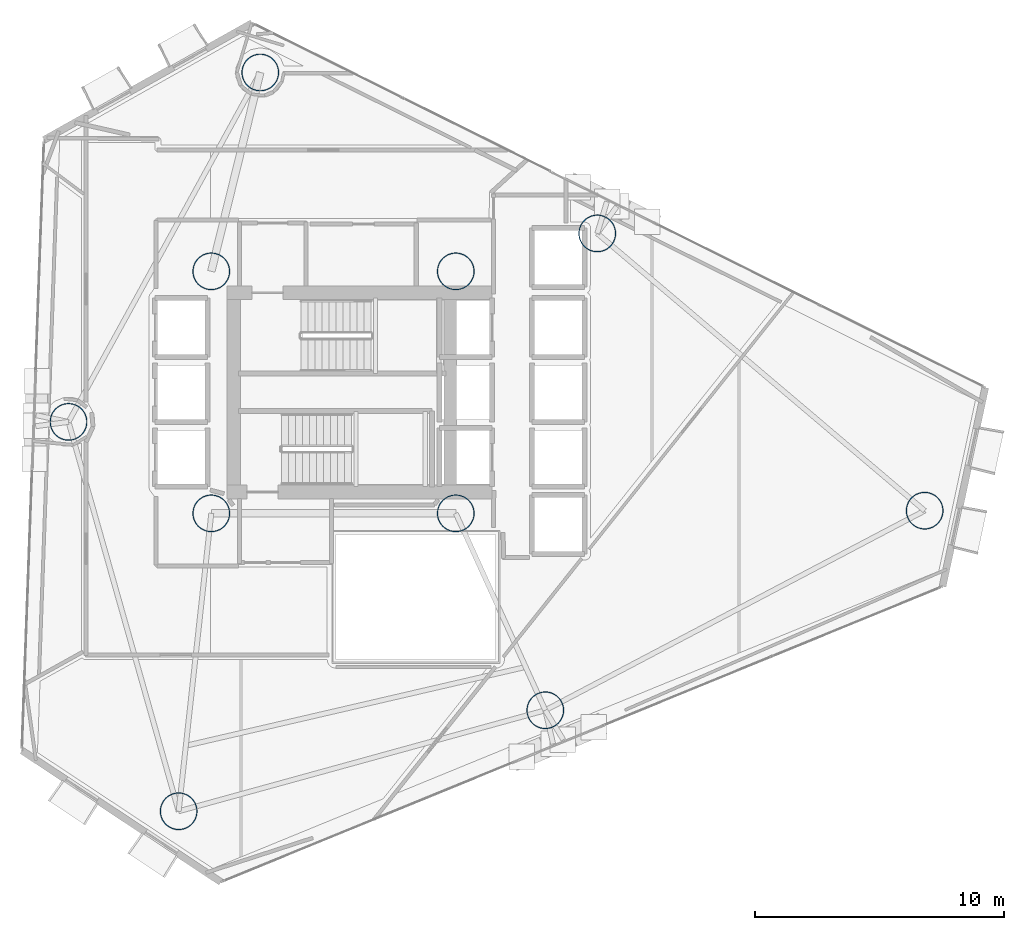
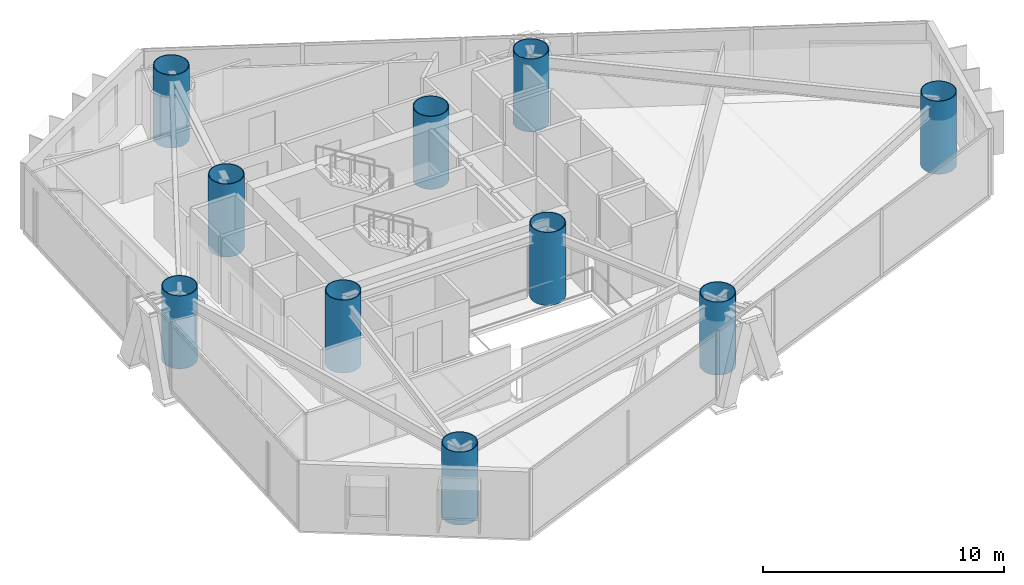
# One storey, part 1 of 22: 10 columns.
"""IFC4 building model written with IfcOpenShell, lengths in metres."""

import ifcopenshell
import ifcopenshell.guid

model = None  # the IFC model being written
_history = None  # IfcOwnerHistory: only IFC2X3 demands one
_inside = {}  # id of a spatial element -> (the spatial element, [elements in it])
_under = {}  # id of a project, library or spatial element -> (it, [spatial elements below it])
_declared = {}  # id of a project -> (the project, [libraries it declares])
_typed = {}  # id of a type object -> (the type object, [elements of that type])
_made_of = {}  # id of a material, layer set ... -> (it, [elements and type objects made of it])


def new_model(schema):
    """Start an empty IFC model of exactly this schema.

    Asked for "IFC4X3", IfcOpenShell would pick the latest addendum, in which some entities
    have other attributes; the version numbers below select the first issue.
    IFC2X3 requires an IfcOwnerHistory on every rooted entity: one is made here for all.
    """
    global model, _history
    if schema == "IFC4X3":
        model = ifcopenshell.file(schema_version=(4, 3, 0, 0))
    else:
        model = ifcopenshell.file(schema=schema)
    _inside.clear()
    _under.clear()
    _declared.clear()
    _typed.clear()
    _made_of.clear()
    _history = None
    if model.schema == "IFC2X3":
        org = make("IfcOrganization", Name="unknown")
        user = make(
            "IfcPersonAndOrganization",
            ThePerson=make("IfcPerson", FamilyName="unknown"),
            TheOrganization=org,
        )
        app = make(
            "IfcApplication",
            ApplicationDeveloper=org,
            Version="unknown",
            ApplicationFullName="unknown",
            ApplicationIdentifier="unknown",
        )
        _history = make(
            "IfcOwnerHistory",
            OwningUser=user,
            OwningApplication=app,
            ChangeAction="ADDED",
            CreationDate=0,
        )
    return model


def make(cls, **values):
    """One entity of the class cls with the attributes given. An attribute that is None is left unset."""
    return model.create_entity(
        cls, **{name: value for name, value in values.items() if value is not None}
    )


def rooted(cls, **values):
    """An entity with a GlobalId (a new one), such as an element, a storey or a relation."""
    return make(cls, GlobalId=ifcopenshell.guid.new(), OwnerHistory=_history, **values)


def si_unit(unit_type, name, prefix=None):
    """IfcSIUnit, for example si_unit("LENGTHUNIT", "METRE", prefix="MILLI")."""
    return make("IfcSIUnit", UnitType=unit_type, Prefix=prefix, Name=name)


def assignment(units):
    """IfcUnitAssignment: the units of a project."""
    return None if units is None else make("IfcUnitAssignment", Units=units)


def point(xyz):
    """IfcCartesianPoint."""
    return None if xyz is None else make("IfcCartesianPoint", Coordinates=xyz)


def direction(xyz):
    """IfcDirection."""
    return None if xyz is None else make("IfcDirection", DirectionRatios=xyz)


def frame(location, z_axis=None, x_axis=None):
    """IfcAxis2Placement3D, a coordinate frame: its origin and axes. An axis left out is left unset."""
    return make(
        "IfcAxis2Placement3D",
        Location=point(location),
        Axis=direction(z_axis),
        RefDirection=direction(x_axis),
    )


def frame_2d(location, x_axis=None):
    """IfcAxis2Placement2D, a coordinate frame in the plane: its origin and x axis."""
    return make(
        "IfcAxis2Placement2D", Location=point(location), RefDirection=direction(x_axis)
    )


def origin():
    """The frame at (0, 0, 0) with its axes left unset."""
    return frame((0.0, 0.0, 0.0))


def origin_2d():
    """The frame at (0, 0) in the plane with its x axis left unset."""
    return frame_2d((0.0, 0.0))


def place(relative_to, where):
    """IfcLocalPlacement: puts the frame where relative to a parent placement (None: the world)."""
    return make(
        "IfcLocalPlacement", PlacementRelTo=relative_to, RelativePlacement=where
    )


def context(
    kind, dimensions, precision=None, world=None, true_north=None, identifier=None
):
    """IfcGeometricRepresentationContext, for example the 3D "Model" context."""
    return make(
        "IfcGeometricRepresentationContext",
        ContextIdentifier=identifier,
        ContextType=kind,
        CoordinateSpaceDimension=dimensions,
        Precision=precision,
        WorldCoordinateSystem=world,
        TrueNorth=true_north,
    )


def subcontext(parent, identifier, kind, view, scale=None):
    """IfcGeometricRepresentationSubContext, for example "Body" below "Model"."""
    return make(
        "IfcGeometricRepresentationSubContext",
        ContextIdentifier=identifier,
        ContextType=kind,
        ParentContext=parent,
        TargetScale=scale,
        TargetView=view,
    )


def project(units=None, contexts=None):
    """IfcProject with its units and contexts."""
    return rooted(
        "IfcProject",
        Name="project",
        RepresentationContexts=contexts,
        UnitsInContext=assignment(units),
    )


def spatial(cls, under=None, at=None, **own):
    """A site, building, storey or space (cls), placed at a placement, below another one or the project."""
    s = rooted(cls, ObjectPlacement=at, **own)
    if under is not None:
        _under.setdefault(under.id(), (under, []))[1].append(s)
    return s


def profile(cls, at=None, kind="AREA", **sizes):
    """A parametric profile (cls). Its sizes go by their IFC names, for example OverallWidth=200.0."""
    return make(cls, ProfileType=kind, Position=at, **sizes)


def hollow_circle(**sizes):
    """IfcCircleHollowProfileDef."""
    return profile("IfcCircleHollowProfileDef", **sizes)


def extrude(swept, where, along, depth):
    """IfcExtrudedAreaSolid: the profile swept, set in the frame where, extruded along a direction by depth."""
    return make(
        "IfcExtrudedAreaSolid",
        SweptArea=swept,
        Position=where,
        ExtrudedDirection=direction(along),
        Depth=depth,
    )


def shape(context_of_items, identifier, shape_type, items):
    """IfcShapeRepresentation: the items that make up one representation, for example the "Body"."""
    return make(
        "IfcShapeRepresentation",
        ContextOfItems=context_of_items,
        RepresentationIdentifier=identifier,
        RepresentationType=shape_type,
        Items=items,
    )


def material(Name=None, Category=None):
    """IfcMaterial."""
    return make("IfcMaterial", Name=Name, Category=Category)


def material_profile(
    of_material, cross_section, Name=None, Category=None, Priority=None
):
    """IfcMaterialProfile: a cross section and its material."""
    return make(
        "IfcMaterialProfile",
        Name=Name,
        Material=of_material,
        Profile=cross_section,
        Priority=Priority,
        Category=Category,
    )


def profile_set(profiles, Name=None, composite=None):
    """IfcMaterialProfileSet."""
    return make(
        "IfcMaterialProfileSet",
        Name=Name,
        MaterialProfiles=profiles,
        CompositeProfile=composite,
    )


def made_of(thing, what):
    """Note that an element or type object is made of a material, layer set ...; save() writes the relation."""
    if what is not None:
        _made_of.setdefault(what.id(), (what, []))[1].append(thing)
    return thing


def type_object(cls, material=None, **own):
    """A type object (cls), such as IfcWallType, which elements share."""
    return made_of(rooted(cls, **own), material)


def element(
    cls,
    number,
    at=None,
    inside=None,
    cuts=None,
    type_object=None,
    material=None,
    context=None,
    identifier="Body",
    shape_type=None,
    held_by="IfcProductDefinitionShape",
    body=None,
    shapes=None,
    **own,
):
    """One element of the class cls, such as IfcWall. Its Tag is "e" and its number.

    at: its placement. inside: the storey or other place that contains it. cuts: it is an
    opening in that element (IfcRelVoidsElement). A single representation is given by context,
    identifier, shape_type and body (its items); several are given by shapes. held_by: the class
    of the entity that holds the representations. save() writes the other relations.
    """
    e = rooted(cls, Tag="e%d" % number, ObjectPlacement=at, **own)
    if body is not None:
        shapes = [shape(context, identifier, shape_type, body)]
    if shapes is not None:
        e.Representation = make(held_by, Representations=shapes)
    if inside is not None:
        _inside.setdefault(inside.id(), (inside, []))[1].append(e)
    if cuts is not None:
        rooted(
            "IfcRelVoidsElement", RelatingBuildingElement=cuts, RelatedOpeningElement=e
        )
    if type_object is not None:
        _typed.setdefault(type_object.id(), (type_object, []))[1].append(e)
    return made_of(e, material)


def aggregate(whole, parts):
    """IfcRelAggregates: a whole, such as a stair, and the parts it consists of."""
    return rooted("IfcRelAggregates", RelatingObject=whole, RelatedObjects=parts)


def save(model, path):
    """Write the relations noted so far, then the file.

    IfcRelAggregates (storeys below a building ...), IfcRelContainedInSpatialStructure (elements
    in a storey), IfcRelDefinesByType, IfcRelAssociatesMaterial and IfcRelDeclares: one each for
    every whole, place, type object, material and project.
    """
    for whole, parts in _under.values():
        aggregate(whole, parts)
    for where, things in _inside.values():
        rooted(
            "IfcRelContainedInSpatialStructure",
            RelatedElements=things,
            RelatingStructure=where,
        )
    for kind, things in _typed.values():
        rooted("IfcRelDefinesByType", RelatedObjects=things, RelatingType=kind)
    for what, things in _made_of.values():
        rooted("IfcRelAssociatesMaterial", RelatedObjects=things, RelatingMaterial=what)
    for by, libraries in _declared.values():
        rooted("IfcRelDeclares", RelatingContext=by, RelatedDefinitions=libraries)
    model.write(path)


model = new_model("IFC4")

# Units and contexts
model_context = context("Model", 3, precision=1e-05, world=origin(), true_north=direction((0.0, 1.0)))
body_context = subcontext(model_context, "Body", "Model", "MODEL_VIEW")
ifc_project = project(units=[si_unit("LENGTHUNIT", "METRE"), si_unit("AREAUNIT", "SQUARE_METRE"), si_unit("VOLUMEUNIT", "CUBIC_METRE"), si_unit("PLANEANGLEUNIT", "RADIAN"), si_unit("MASSUNIT", "GRAM", prefix="KILO")], contexts=[model_context])

# Site, building, storey
site_placement = place(None, origin())
site = spatial("IfcSite", under=ifc_project, at=site_placement, CompositionType="ELEMENT")
building_placement = place(site_placement, origin())
building = spatial("IfcBuilding", under=site, at=building_placement, Name="Qianvela Tower", CompositionType="ELEMENT")
storey_placement = place(building_placement, frame((0.0, 0.0, 134.800048828125)))
storey = spatial("IfcBuildingStorey", under=building, at=storey_placement, Name="L34", CompositionType="ELEMENT", Elevation=134.800048828125)

# Columns
ifc_material = material(Name="Steel Q420GJC", Category="steel")
ifc_material_profile = material_profile(ifc_material, hollow_circle(Radius=0.75, WallThickness=0.035888671875, at=origin_2d()), Name="CFT-1500x36")
ifc_profile_set = profile_set([ifc_material_profile], Name="Steel Q420GJC")
column_type = type_object("IfcColumnType", Name="COL-CFT-1500x36", PredefinedType="COLUMN", material=ifc_profile_set)
for number, where, z_axis, x_axis, name in (
    (1, (28.60009765625, 33.550048828125, 0.0), (0.0, 0.0, 1.0), (1.0, 0.0, 0.0), "L34 Core Corner Mega-Column CC-NW"),
    (2, (28.60009765625, 23.85009765625, 0.0), (0.0, 0.0, 1.0), (1.0, 0.0, 0.0), "L34 Core Corner Mega-Column CC-SW"),
    (3, (38.39990234375, 33.550048828125, 0.0), (0.0, 0.0, 1.0), (1.0, 0.0, 0.0), "L34 Core Corner Mega-Column CC-NE"),
    (4, (38.39990234375, 23.85009765625, 0.0), (0.0, 0.0, 1.0), (1.0, 0.0, 0.0), "L34 Core Corner Mega-Column CC-SE"),
    (5, (57.194091796875, 23.9580078125, 0.0), (0.0, 0.0, 1.0), (1.0, 0.0, 0.0), "L34 Zone Z3 CFT Mega-Column C1"),
    (6, (44.071044921875, 35.070068359375, 0.0), (0.0, 0.0, 1.0), (1.0, 0.0, 0.0), "L34 Zone Z3 CFT Mega-Column C2"),
    (7, (30.56396484375, 41.52099609375, 0.0), (0.0, 0.0, 1.0), (1.0, 0.0, 0.0), "L34 Zone Z3 CFT Mega-Column C3"),
    (8, (22.8779296875, 27.51611328125, 0.0), (0.0, 0.0, 1.0), (1.0, 0.0, 0.0), "L34 Zone Z3 CFT Mega-Column C4"),
    (9, (27.2919921875, 11.908935546875, 0.0), (0.0, 0.0, 1.0), (1.0, 0.0, 0.0), "L34 Zone Z3 CFT Mega-Column C5"),
    (10, (41.988037109375, 15.95703125, 0.0), (0.0, 0.0, 1.0), (1.0, 0.0, 0.0), "L34 Zone Z3 CFT Mega-Column C6"),
):
    element("IfcColumn", number, at=place(storey_placement, frame(where, z_axis=z_axis, x_axis=x_axis)), inside=storey, type_object=column_type, Name=name, PredefinedType="COLUMN", context=body_context, shape_type="SweptSolid", body=[
        extrude(hollow_circle(Radius=0.75, WallThickness=0.035888671875, at=origin_2d()), origin(), (0.0, 0.0, 1.0), 3.699951171875),
    ])

save(model, "model.ifc")
